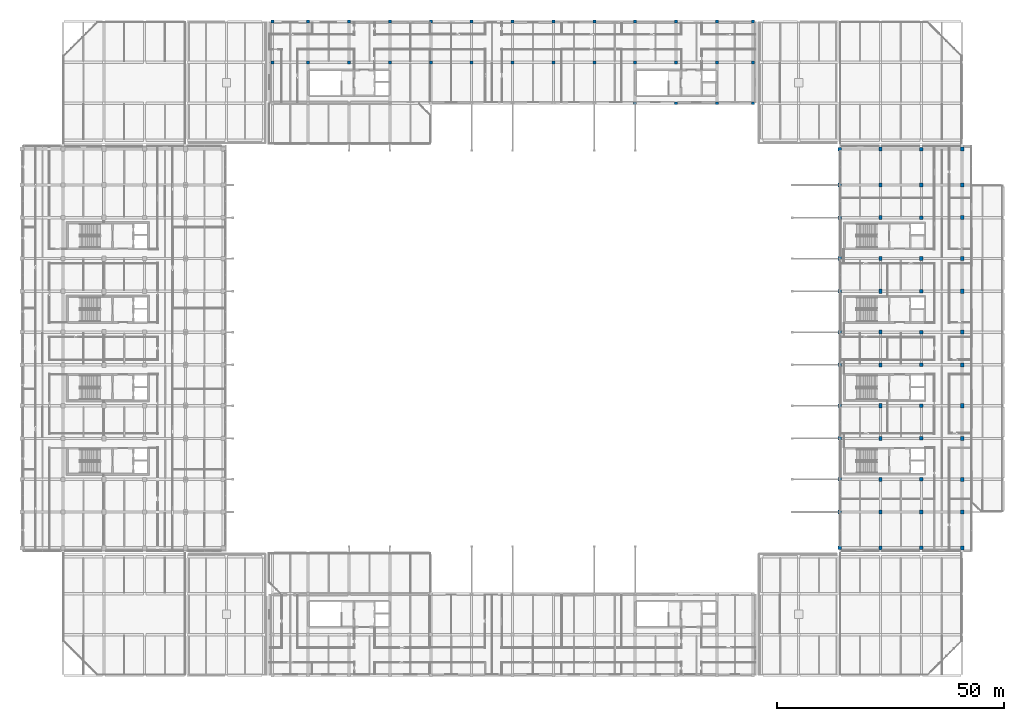
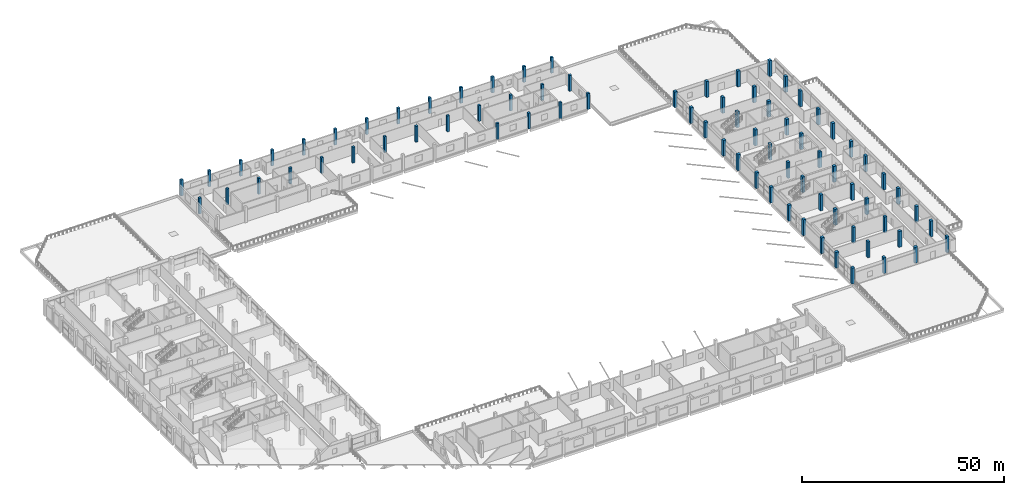
# One storey, part 2 of 82: 78 columns.
"""IFC4 building model written with IfcOpenShell, lengths in metres."""

from ifc_helpers import new_model, si_unit, direction, frame, origin, origin_2d, place, context, subcontext, project, spatial, rectangle, extrude, material, material_profile, profile_set, type_object, element, save


model = new_model("IFC4")

# Units and contexts
model_context = context("Model", 3, precision=1e-05, world=origin(), true_north=direction((0.0, 1.0)))
body_context = subcontext(model_context, "Body", "Model", "MODEL_VIEW")
ifc_project = project(units=[si_unit("LENGTHUNIT", "METRE"), si_unit("AREAUNIT", "SQUARE_METRE"), si_unit("VOLUMEUNIT", "CUBIC_METRE"), si_unit("PLANEANGLEUNIT", "RADIAN"), si_unit("MASSUNIT", "GRAM", prefix="KILO"), si_unit("THERMODYNAMICTEMPERATUREUNIT", "KELVIN"), si_unit("POWERUNIT", "WATT")], contexts=[model_context])

# Site, building, storey
site_placement = place(None, origin())
site = spatial("IfcSite", under=ifc_project, at=site_placement, CompositionType="ELEMENT")
building_placement = place(site_placement, origin())
building = spatial("IfcBuilding", under=site, at=building_placement, Name="Sindhuravela Promenade Stadium", CompositionType="ELEMENT")
storey_placement = place(building_placement, frame((0.0, 0.0, 14.39990234375)))
storey = spatial("IfcBuildingStorey", under=building, at=storey_placement, Name="L03", CompositionType="ELEMENT", Elevation=14.39990234375)

# Columns
ifc_material = material(Name="Concrete M40", Category="concrete")
ifc_material_profile_1 = material_profile(ifc_material, rectangle(XDim=0.64990234375, YDim=0.64990234375, at=origin_2d()), Name="RC 650x650")
ifc_profile_set_1 = profile_set([ifc_material_profile_1], Name="Concrete M40")
column_type_1 = type_object("IfcColumnType", Name="RC-CL-650x650", PredefinedType="COLUMN", material=ifc_profile_set_1)
for number, where, z_axis, x_axis, name in (
    (1, (55.10009765625, 144.0, 0.0), (0.0, 0.0, 1.0), (1.0, 0.0, 0.0), "Column C15 NORTH L03"),
    (2, (55.10009765625, 153.0, 0.0), (0.0, 0.0, 1.0), (1.0, 0.0, 0.0), "Column C15 NORTH L03"),
    (3, (63.0, 144.0, 0.0), (0.0, 0.0, 1.0), (1.0, 0.0, 0.0), "Column C15 NORTH L03"),
    (4, (63.0, 153.0, 0.0), (0.0, 0.0, 1.0), (1.0, 0.0, 0.0), "Column C15 NORTH L03"),
    (5, (72.0, 144.0, 0.0), (0.0, 0.0, 1.0), (1.0, 0.0, 0.0), "Column C15 NORTH L03"),
    (6, (72.0, 153.0, 0.0), (0.0, 0.0, 1.0), (1.0, 0.0, 0.0), "Column C15 NORTH L03"),
    (7, (81.0, 144.0, 0.0), (0.0, 0.0, 1.0), (1.0, 0.0, 0.0), "Column C15 NORTH L03"),
    (8, (81.0, 153.0, 0.0), (0.0, 0.0, 1.0), (1.0, 0.0, 0.0), "Column C15 NORTH L03"),
    (9, (90.0, 144.0, 0.0), (0.0, 0.0, 1.0), (1.0, 0.0, 0.0), "Column C15 NORTH L03"),
    (10, (90.0, 153.0, 0.0), (0.0, 0.0, 1.0), (1.0, 0.0, 0.0), "Column C15 NORTH L03"),
    (11, (99.0, 144.0, 0.0), (0.0, 0.0, 1.0), (1.0, 0.0, 0.0), "Column C15 NORTH L03"),
    (12, (99.0, 153.0, 0.0), (0.0, 0.0, 1.0), (1.0, 0.0, 0.0), "Column C15 NORTH L03"),
    (13, (108.0, 144.0, 0.0), (0.0, 0.0, 1.0), (1.0, 0.0, 0.0), "Column C15 NORTH L03"),
    (14, (108.0, 153.0, 0.0), (0.0, 0.0, 1.0), (1.0, 0.0, 0.0), "Column C15 NORTH L03"),
    (15, (117.0, 144.0, 0.0), (0.0, 0.0, 1.0), (1.0, 0.0, 0.0), "Column C15 NORTH L03"),
    (16, (117.0, 153.0, 0.0), (0.0, 0.0, 1.0), (1.0, 0.0, 0.0), "Column C15 NORTH L03"),
    (17, (126.0, 144.0, 0.0), (0.0, 0.0, 1.0), (1.0, 0.0, 0.0), "Column C15 NORTH L03"),
    (18, (126.0, 153.0, 0.0), (0.0, 0.0, 1.0), (1.0, 0.0, 0.0), "Column C15 NORTH L03"),
    (19, (135.0, 135.0, 0.0), (0.0, 0.0, 1.0), (1.0, 0.0, 0.0), "Column C15 NORTH L03"),
    (20, (135.0, 144.0, 0.0), (0.0, 0.0, 1.0), (1.0, 0.0, 0.0), "Column C15 NORTH L03"),
    (21, (135.0, 153.0, 0.0), (0.0, 0.0, 1.0), (1.0, 0.0, 0.0), "Column C15 NORTH L03"),
    (22, (144.0, 135.0, 0.0), (0.0, 0.0, 1.0), (1.0, 0.0, 0.0), "Column C15 NORTH L03"),
    (23, (144.0, 144.0, 0.0), (0.0, 0.0, 1.0), (1.0, 0.0, 0.0), "Column C15 NORTH L03"),
    (24, (144.0, 153.0, 0.0), (0.0, 0.0, 1.0), (1.0, 0.0, 0.0), "Column C15 NORTH L03"),
    (25, (153.0, 135.0, 0.0), (0.0, 0.0, 1.0), (1.0, 0.0, 0.0), "Column C15 NORTH L03"),
    (26, (153.0, 144.0, 0.0), (0.0, 0.0, 1.0), (1.0, 0.0, 0.0), "Column C15 NORTH L03"),
    (27, (153.0, 153.0, 0.0), (0.0, 0.0, 1.0), (1.0, 0.0, 0.0), "Column C15 NORTH L03"),
    (28, (160.89990234375, 135.0, 0.0), (0.0, 0.0, 1.0), (1.0, 0.0, 0.0), "Column C15 NORTH L03"),
    (29, (160.89990234375, 144.0, 0.0), (0.0, 0.0, 1.0), (1.0, 0.0, 0.0), "Column C15 NORTH L03"),
    (30, (160.89990234375, 153.0, 0.0), (0.0, 0.0, 1.0), (1.0, 0.0, 0.0), "Column C15 NORTH L03"),
):
    element("IfcColumn", number, at=place(storey_placement, frame(where, z_axis=z_axis, x_axis=x_axis)), inside=storey, type_object=column_type_1, Name=name, PredefinedType="COLUMN", context=body_context, shape_type="SweptSolid", body=[
        extrude(rectangle(XDim=0.64990234375, YDim=0.64990234375, at=origin_2d()), origin(), (0.0, 0.0, 1.0), 4.800048828125),
    ])
ifc_material_profile_2 = material_profile(ifc_material, rectangle(XDim=0.699951171875, YDim=0.89990234375, at=origin_2d()), Name="RC 700x900")
ifc_profile_set_2 = profile_set([ifc_material_profile_2], Name="Concrete M40")
column_type_2 = type_object("IfcColumnType", Name="RC-CL-700x900", PredefinedType="COLUMN", material=ifc_profile_set_2)
for number, where, z_axis, x_axis, name in (
    (31, (189.0, 37.10009765625, 0.0), (0.0, 0.0, 1.0), (1.0, 0.0, 0.0), "Column C13 EAST L03"),
    (32, (189.0, 45.0, 0.0), (0.0, 0.0, 1.0), (1.0, 0.0, 0.0), "Column C13 EAST L03"),
    (33, (189.0, 52.199951171875, 0.0), (0.0, 0.0, 1.0), (1.0, 0.0, 0.0), "Column C13 EAST L03"),
    (34, (189.0, 61.199951171875, 0.0), (0.0, 0.0, 1.0), (1.0, 0.0, 0.0), "Column C13 EAST L03"),
    (35, (189.0, 68.39990234375, 0.0), (0.0, 0.0, 1.0), (1.0, 0.0, 0.0), "Column C13 EAST L03"),
    (36, (189.0, 77.39990234375, 0.0), (0.0, 0.0, 1.0), (1.0, 0.0, 0.0), "Column C13 EAST L03"),
    (37, (189.0, 84.60009765625, 0.0), (0.0, 0.0, 1.0), (1.0, 0.0, 0.0), "Column C13 EAST L03"),
    (38, (189.0, 93.60009765625, 0.0), (0.0, 0.0, 1.0), (1.0, 0.0, 0.0), "Column C13 EAST L03"),
    (39, (189.0, 100.800048828125, 0.0), (0.0, 0.0, 1.0), (1.0, 0.0, 0.0), "Column C13 EAST L03"),
    (40, (189.0, 109.800048828125, 0.0), (0.0, 0.0, 1.0), (1.0, 0.0, 0.0), "Column C13 EAST L03"),
    (41, (189.0, 117.0, 0.0), (0.0, 0.0, 1.0), (1.0, 0.0, 0.0), "Column C13 EAST L03"),
    (42, (189.0, 124.89990234375, 0.0), (0.0, 0.0, 1.0), (1.0, 0.0, 0.0), "Column C13 EAST L03"),
    (43, (207.0, 37.10009765625, 0.0), (0.0, 0.0, 1.0), (1.0, 0.0, 0.0), "Column C13 EAST L03"),
    (44, (207.0, 45.0, 0.0), (0.0, 0.0, 1.0), (1.0, 0.0, 0.0), "Column C13 EAST L03"),
    (45, (207.0, 52.199951171875, 0.0), (0.0, 0.0, 1.0), (1.0, 0.0, 0.0), "Column C13 EAST L03"),
    (46, (207.0, 61.199951171875, 0.0), (0.0, 0.0, 1.0), (1.0, 0.0, 0.0), "Column C13 EAST L03"),
    (47, (207.0, 68.39990234375, 0.0), (0.0, 0.0, 1.0), (1.0, 0.0, 0.0), "Column C13 EAST L03"),
    (48, (207.0, 77.39990234375, 0.0), (0.0, 0.0, 1.0), (1.0, 0.0, 0.0), "Column C13 EAST L03"),
    (49, (207.0, 84.60009765625, 0.0), (0.0, 0.0, 1.0), (1.0, 0.0, 0.0), "Column C13 EAST L03"),
    (50, (207.0, 93.60009765625, 0.0), (0.0, 0.0, 1.0), (1.0, 0.0, 0.0), "Column C13 EAST L03"),
    (51, (207.0, 100.800048828125, 0.0), (0.0, 0.0, 1.0), (1.0, 0.0, 0.0), "Column C13 EAST L03"),
    (52, (207.0, 109.800048828125, 0.0), (0.0, 0.0, 1.0), (1.0, 0.0, 0.0), "Column C13 EAST L03"),
    (53, (207.0, 117.0, 0.0), (0.0, 0.0, 1.0), (1.0, 0.0, 0.0), "Column C13 EAST L03"),
    (54, (207.0, 124.89990234375, 0.0), (0.0, 0.0, 1.0), (1.0, 0.0, 0.0), "Column C13 EAST L03"),
):
    element("IfcColumn", number, at=place(storey_placement, frame(where, z_axis=z_axis, x_axis=x_axis)), inside=storey, type_object=column_type_2, Name=name, PredefinedType="COLUMN", context=body_context, shape_type="SweptSolid", body=[
        extrude(rectangle(XDim=0.699951171875, YDim=0.89990234375, at=origin_2d()), origin(), (0.0, 0.0, 1.0), 4.800048828125),
    ])
ifc_material_profile_3 = material_profile(ifc_material, rectangle(XDim=0.800048828125, YDim=0.800048828125, at=origin_2d()), Name="RC 800x800")
ifc_profile_set_3 = profile_set([ifc_material_profile_3], Name="Concrete M40")
column_type_3 = type_object("IfcColumnType", Name="RC-CL-800x800", PredefinedType="COLUMN", material=ifc_profile_set_3)
for number, where, z_axis, x_axis, name in (
    (55, (180.0, 37.10009765625, 0.0), (0.0, 0.0, 1.0), (1.0, 0.0, 0.0), "Column C11 EAST L03"),
    (56, (180.0, 45.0, 0.0), (0.0, 0.0, 1.0), (1.0, 0.0, 0.0), "Column C11 EAST L03"),
    (57, (180.0, 52.199951171875, 0.0), (0.0, 0.0, 1.0), (1.0, 0.0, 0.0), "Column C11 EAST L03"),
    (58, (180.0, 61.199951171875, 0.0), (0.0, 0.0, 1.0), (1.0, 0.0, 0.0), "Column C11 EAST L03"),
    (59, (180.0, 68.39990234375, 0.0), (0.0, 0.0, 1.0), (1.0, 0.0, 0.0), "Column C11 EAST L03"),
    (60, (180.0, 77.39990234375, 0.0), (0.0, 0.0, 1.0), (1.0, 0.0, 0.0), "Column C11 EAST L03"),
    (61, (180.0, 84.60009765625, 0.0), (0.0, 0.0, 1.0), (1.0, 0.0, 0.0), "Column C11 EAST L03"),
    (62, (180.0, 93.60009765625, 0.0), (0.0, 0.0, 1.0), (1.0, 0.0, 0.0), "Column C11 EAST L03"),
    (63, (180.0, 100.800048828125, 0.0), (0.0, 0.0, 1.0), (1.0, 0.0, 0.0), "Column C11 EAST L03"),
    (64, (180.0, 109.800048828125, 0.0), (0.0, 0.0, 1.0), (1.0, 0.0, 0.0), "Column C11 EAST L03"),
    (65, (180.0, 117.0, 0.0), (0.0, 0.0, 1.0), (1.0, 0.0, 0.0), "Column C11 EAST L03"),
    (66, (180.0, 124.89990234375, 0.0), (0.0, 0.0, 1.0), (1.0, 0.0, 0.0), "Column C11 EAST L03"),
    (67, (198.0, 37.10009765625, 0.0), (0.0, 0.0, 1.0), (1.0, 0.0, 0.0), "Column C11 EAST L03"),
    (68, (198.0, 45.0, 0.0), (0.0, 0.0, 1.0), (1.0, 0.0, 0.0), "Column C11 EAST L03"),
    (69, (198.0, 52.199951171875, 0.0), (0.0, 0.0, 1.0), (1.0, 0.0, 0.0), "Column C11 EAST L03"),
    (70, (198.0, 61.199951171875, 0.0), (0.0, 0.0, 1.0), (1.0, 0.0, 0.0), "Column C11 EAST L03"),
    (71, (198.0, 68.39990234375, 0.0), (0.0, 0.0, 1.0), (1.0, 0.0, 0.0), "Column C11 EAST L03"),
    (72, (198.0, 77.39990234375, 0.0), (0.0, 0.0, 1.0), (1.0, 0.0, 0.0), "Column C11 EAST L03"),
    (73, (198.0, 84.60009765625, 0.0), (0.0, 0.0, 1.0), (1.0, 0.0, 0.0), "Column C11 EAST L03"),
    (74, (198.0, 93.60009765625, 0.0), (0.0, 0.0, 1.0), (1.0, 0.0, 0.0), "Column C11 EAST L03"),
    (75, (198.0, 100.800048828125, 0.0), (0.0, 0.0, 1.0), (1.0, 0.0, 0.0), "Column C11 EAST L03"),
    (76, (198.0, 109.800048828125, 0.0), (0.0, 0.0, 1.0), (1.0, 0.0, 0.0), "Column C11 EAST L03"),
    (77, (198.0, 117.0, 0.0), (0.0, 0.0, 1.0), (1.0, 0.0, 0.0), "Column C11 EAST L03"),
    (78, (198.0, 124.89990234375, 0.0), (0.0, 0.0, 1.0), (1.0, 0.0, 0.0), "Column C11 EAST L03"),
):
    element("IfcColumn", number, at=place(storey_placement, frame(where, z_axis=z_axis, x_axis=x_axis)), inside=storey, type_object=column_type_3, Name=name, PredefinedType="COLUMN", context=body_context, shape_type="SweptSolid", body=[
        extrude(rectangle(XDim=0.800048828125, YDim=0.800048828125, at=origin_2d()), origin(), (0.0, 0.0, 1.0), 4.800048828125),
    ])

save(model, "model.ifc")
